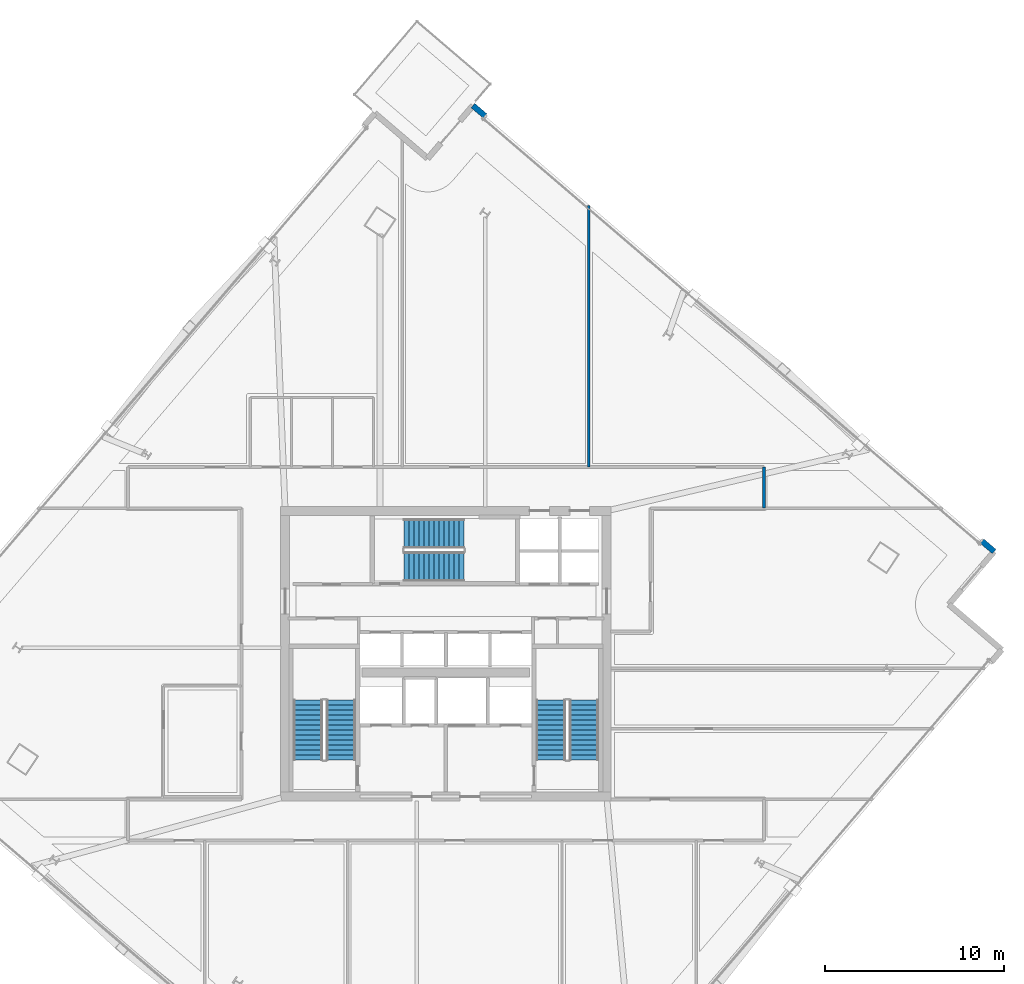
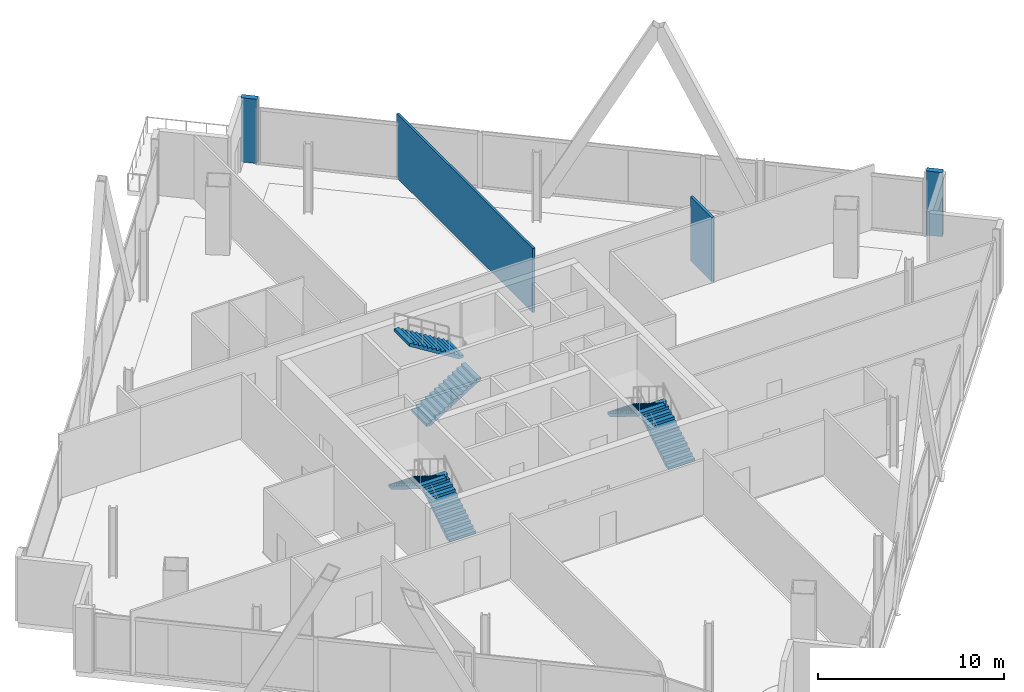
# One storey, part 21 of 26: 6 stair flights, 4 walls, 3 elements without a shape of their own.
"""IFC4 building model written with IfcOpenShell, lengths in metres."""

from ifc_helpers import new_model, si_unit, direction, frame, frame_2d, origin, place, context, subcontext, project, spatial, polyline, rectangle, outline, extrude, material, layer, layer_set, type_object, element, aggregate, save


model = new_model("IFC4")

# Units and contexts
model_context = context("Model", 3, precision=1e-05, world=origin(), true_north=direction((0.0, 1.0)))
body_context = subcontext(model_context, "Body", "Model", "MODEL_VIEW")
ifc_project = project(units=[si_unit("LENGTHUNIT", "METRE"), si_unit("AREAUNIT", "SQUARE_METRE"), si_unit("VOLUMEUNIT", "CUBIC_METRE"), si_unit("PLANEANGLEUNIT", "RADIAN"), si_unit("MASSUNIT", "GRAM", prefix="KILO")], contexts=[model_context])

# Site, building, storey
site_placement = place(None, origin())
site = spatial("IfcSite", under=ifc_project, at=site_placement, CompositionType="ELEMENT")
building_placement = place(site_placement, origin())
building = spatial("IfcBuilding", under=site, at=building_placement, Name="Haldenkirk Collegiate Tower", CompositionType="ELEMENT")
storey_placement = place(building_placement, frame((0.0, 0.0, 193.949951171875)))
storey = spatial("IfcBuildingStorey", under=building, at=storey_placement, Name="L48", CompositionType="ELEMENT", Elevation=193.949951171875)

# Walls
ifc_material_1 = material(Name="Precast concrete f'c 40 MPa", Category="concrete")
ifc_layer_1 = layer(ifc_material_1, 0.320068359375)
ifc_layer_set_1 = layer_set([ifc_layer_1], Name="Precast concrete f'c 40 MPa")
wall_type_1 = type_object("IfcWallType", Name="WL-EXT-TWR-320", PredefinedType="STANDARD", material=ifc_layer_set_1)
wall_1_placement = place(storey_placement, frame((37.5126953125, 56.686279296875, 0.0), z_axis=(0.0, 0.0, 1.0), x_axis=(0.759773334815, -0.650188034113, 0.0)))
element("IfcWall", 1, at=wall_1_placement, inside=storey, type_object=wall_type_1, Name="L48 precast corner pier EL", PredefinedType="STANDARD", context=body_context, shape_type="SweptSolid", body=[
    extrude(rectangle(XDim=0.900146484375, YDim=0.320068359375, at=frame_2d((0.4501953125, 0.0))), origin(), (0.0, 0.0, 1.0), 4.219970703125),
])
wall_2_placement = place(storey_placement, frame((66.006591796875, 32.306884765625, 0.0), z_axis=(0.0, 0.0, 1.0), x_axis=(0.759907338963, -0.650031411695, 0.0)))
element("IfcWall", 2, at=wall_2_placement, inside=storey, type_object=wall_type_1, Name="L48 precast corner pier ER", PredefinedType="STANDARD", context=body_context, shape_type="SweptSolid", body=[
    extrude(rectangle(XDim=0.89990234375, YDim=0.320068359375, at=frame_2d((0.449951171875, 0.0))), origin(), (0.0, 0.0, 1.0), 4.219970703125),
])
ifc_material_2 = material(Name="Acoustic fire-rated gypsum partition", Category="concrete")
ifc_layer_2 = layer(ifc_material_2, 0.159912109375)
ifc_layer_set_2 = layer_set([ifc_layer_2], Name="Acoustic fire-rated gypsum partition")
wall_type_2 = type_object("IfcWallType", Name="WL-INT-CORR-160", PredefinedType="PARTITIONING", material=ifc_layer_set_2)
wall_3_placement = place(storey_placement, frame((53.800048828125, 34.14990234375, 0.0), z_axis=(0.0, 0.0, 1.0), x_axis=(0.0, 1.0, 0.0)))
element("IfcWall", 3, at=wall_3_placement, inside=storey, type_object=wall_type_2, Name="L48 interior partition IW-L48-CNR", PredefinedType="PARTITIONING", context=body_context, shape_type="SweptSolid", body=[
    extrude(rectangle(XDim=2.300048828125, YDim=0.159912109375, at=frame_2d((1.14990234375, 0.0))), origin(), (0.0, 0.0, 1.0), 4.219970703125),
])
ifc_layer_3 = layer(ifc_material_2, 0.139892578125)
ifc_layer_set_3 = layer_set([ifc_layer_3], Name="Acoustic fire-rated gypsum partition")
wall_type_3 = type_object("IfcWallType", Name="WL-INT-DIV-140", PredefinedType="PARTITIONING", material=ifc_layer_set_3)
wall_4_placement = place(storey_placement, frame((44.0, 36.449951171875, 0.0), z_axis=(0.0, 0.0, 1.0), x_axis=(0.0, 1.0, 0.0)))
element("IfcWall", 4, at=wall_4_placement, inside=storey, type_object=wall_type_3, Name="L48 interior partition IW-L48-RN2", PredefinedType="PARTITIONING", context=body_context, shape_type="SweptSolid", body=[
    extrude(rectangle(XDim=14.633056640625, YDim=0.139892578125, at=frame_2d((7.31640625, 0.0))), origin(), (0.0, 0.0, 1.0), 4.219970703125),
])

# Stair, stair flights
ifc_material_3 = material(Name="Concrete f'c 40 MPa", Category="concrete")
stair_type = type_object("IfcStairType", Name="STR-DOGLEG-1650", PredefinedType="HALF_TURN_STAIR", material=ifc_material_3)
stair_1_placement = place(storey_placement, origin())
stair_1 = element("IfcStair", 5, at=stair_1_placement, inside=storey, type_object=stair_type, Name="L48 Core Exit Stair ST-1", PredefinedType="HALF_TURN_STAIR")
stair_flight_type = type_object("IfcStairFlightType", Name="STF-FLIGHT-1650", PredefinedType="STRAIGHT", material=ifc_material_3)
stair_flight_1_placement = place(storey_placement, frame((30.125, 20.050048828125, 0.0), z_axis=(0.0, 0.0, 1.0), x_axis=(0.0, 1.0, 0.0)))
stair_flight_1 = element("IfcStairFlight", 6, at=stair_flight_1_placement, type_object=stair_flight_type, Name="ST-1 flight 1", NumberOfRisers=13, NumberOfTreads=12, PredefinedType="STRAIGHT", RiserHeight=0.173076923, TreadLength=0.28, context=body_context, shape_type="SweptSolid", body=[
    extrude(outline(polyline([(0.0, 0.0), (0.0, 0.173095703125), (0.280029296875, 0.173095703125), (0.280029296875, 0.34619140625), (0.56005859375, 0.34619140625), (0.56005859375, 0.519287109375), (0.840087890625, 0.519287109375), (0.840087890625, 0.6923828125), (1.1201171875, 0.6923828125), (1.1201171875, 0.865478515625), (1.39990234375, 0.865478515625), (1.39990234375, 1.03857421875), (1.679931640625, 1.03857421875), (1.679931640625, 1.21142578125), (1.9599609375, 1.21142578125), (1.9599609375, 1.384521484375), (2.239990234375, 1.384521484375), (2.239990234375, 1.5576171875), (2.52001953125, 1.5576171875), (2.52001953125, 1.730712890625), (2.800048828125, 1.730712890625), (2.800048828125, 1.90380859375), (3.080078125, 1.90380859375), (3.080078125, 2.076904296875), (3.360107421875, 2.076904296875), (3.360107421875, 2.25), (3.360107421875, 1.900634765625), (0.28515625, 0.0), (0.0, 0.0)])), frame((0.0, 0.824951171875, 0.0), z_axis=(0.0, -1.0, 0.0), x_axis=(1.0, 0.0, 0.0)), (0.0, 0.0, 1.0), 1.64990234375),
])
stair_flight_2_placement = place(storey_placement, frame((28.27490234375, 23.409912109375, 2.25), z_axis=(0.0, 0.0, 1.0), x_axis=(0.0, -1.0, 0.0)))
stair_flight_2 = element("IfcStairFlight", 7, at=stair_flight_2_placement, type_object=stair_flight_type, Name="ST-1 flight 2", NumberOfRisers=13, NumberOfTreads=12, PredefinedType="STRAIGHT", RiserHeight=0.173076923, TreadLength=0.28, context=body_context, shape_type="SweptSolid", body=[
    extrude(outline(polyline([(0.0, 0.0), (0.0, 0.173095703125), (0.280029296875, 0.173095703125), (0.280029296875, 0.34619140625), (0.56005859375, 0.34619140625), (0.56005859375, 0.519287109375), (0.840087890625, 0.519287109375), (0.840087890625, 0.6923828125), (1.1201171875, 0.6923828125), (1.1201171875, 0.865478515625), (1.39990234375, 0.865478515625), (1.39990234375, 1.03857421875), (1.679931640625, 1.03857421875), (1.679931640625, 1.21142578125), (1.9599609375, 1.21142578125), (1.9599609375, 1.384521484375), (2.239990234375, 1.384521484375), (2.239990234375, 1.5576171875), (2.52001953125, 1.5576171875), (2.52001953125, 1.730712890625), (2.800048828125, 1.730712890625), (2.800048828125, 1.90380859375), (3.080078125, 1.90380859375), (3.080078125, 2.076904296875), (3.360107421875, 2.076904296875), (3.360107421875, 2.25), (3.360107421875, 1.900634765625), (0.28515625, 0.0), (0.0, 0.0)])), frame((0.0, 0.824951171875, 0.0), z_axis=(0.0, -1.0, 0.0), x_axis=(1.0, 0.0, 0.0)), (0.0, 0.0, 1.0), 1.64990234375),
])
aggregate(stair_1, [stair_flight_1, stair_flight_2])

stair_2_placement = place(storey_placement, origin())
stair_2 = element("IfcStair", 8, at=stair_2_placement, inside=storey, type_object=stair_type, Name="L48 Core Exit Stair ST-2", PredefinedType="HALF_TURN_STAIR")
stair_flight_3_placement = place(storey_placement, frame((43.72509765625, 20.050048828125, 0.0), z_axis=(0.0, 0.0, 1.0), x_axis=(0.0, 1.0, 0.0)))
stair_flight_3 = element("IfcStairFlight", 9, at=stair_flight_3_placement, type_object=stair_flight_type, Name="ST-2 flight 1", NumberOfRisers=13, NumberOfTreads=12, PredefinedType="STRAIGHT", RiserHeight=0.173076923, TreadLength=0.28, context=body_context, shape_type="SweptSolid", body=[
    extrude(outline(polyline([(0.0, 0.0), (0.0, 0.173095703125), (0.280029296875, 0.173095703125), (0.280029296875, 0.34619140625), (0.56005859375, 0.34619140625), (0.56005859375, 0.519287109375), (0.840087890625, 0.519287109375), (0.840087890625, 0.6923828125), (1.1201171875, 0.6923828125), (1.1201171875, 0.865478515625), (1.39990234375, 0.865478515625), (1.39990234375, 1.03857421875), (1.679931640625, 1.03857421875), (1.679931640625, 1.21142578125), (1.9599609375, 1.21142578125), (1.9599609375, 1.384521484375), (2.239990234375, 1.384521484375), (2.239990234375, 1.5576171875), (2.52001953125, 1.5576171875), (2.52001953125, 1.730712890625), (2.800048828125, 1.730712890625), (2.800048828125, 1.90380859375), (3.080078125, 1.90380859375), (3.080078125, 2.076904296875), (3.360107421875, 2.076904296875), (3.360107421875, 2.25), (3.360107421875, 1.900634765625), (0.28515625, 0.0), (0.0, 0.0)])), frame((0.0, 0.824951171875, 0.0), z_axis=(0.0, -1.0, 0.0), x_axis=(1.0, 0.0, 0.0)), (0.0, 0.0, 1.0), 1.64990234375),
])
stair_flight_4_placement = place(storey_placement, frame((41.875, 23.409912109375, 2.25), z_axis=(0.0, 0.0, 1.0), x_axis=(0.0, -1.0, 0.0)))
stair_flight_4 = element("IfcStairFlight", 10, at=stair_flight_4_placement, type_object=stair_flight_type, Name="ST-2 flight 2", NumberOfRisers=13, NumberOfTreads=12, PredefinedType="STRAIGHT", RiserHeight=0.173076923, TreadLength=0.28, context=body_context, shape_type="SweptSolid", body=[
    extrude(outline(polyline([(0.0, 0.0), (0.0, 0.173095703125), (0.280029296875, 0.173095703125), (0.280029296875, 0.34619140625), (0.56005859375, 0.34619140625), (0.56005859375, 0.519287109375), (0.840087890625, 0.519287109375), (0.840087890625, 0.6923828125), (1.1201171875, 0.6923828125), (1.1201171875, 0.865478515625), (1.39990234375, 0.865478515625), (1.39990234375, 1.03857421875), (1.679931640625, 1.03857421875), (1.679931640625, 1.21142578125), (1.9599609375, 1.21142578125), (1.9599609375, 1.384521484375), (2.239990234375, 1.384521484375), (2.239990234375, 1.5576171875), (2.52001953125, 1.5576171875), (2.52001953125, 1.730712890625), (2.800048828125, 1.730712890625), (2.800048828125, 1.90380859375), (3.080078125, 1.90380859375), (3.080078125, 2.076904296875), (3.360107421875, 2.076904296875), (3.360107421875, 2.25), (3.360107421875, 1.900634765625), (0.28515625, 0.0), (0.0, 0.0)])), frame((0.0, 0.824951171875, 0.0), z_axis=(0.0, -1.0, 0.0), x_axis=(1.0, 0.0, 0.0)), (0.0, 0.0, 1.0), 1.64990234375),
])
aggregate(stair_2, [stair_flight_3, stair_flight_4])

stair_3_placement = place(storey_placement, origin())
stair_3 = element("IfcStair", 11, at=stair_3_placement, inside=storey, type_object=stair_type, Name="L48 Core Exit Stair ST-3", PredefinedType="HALF_TURN_STAIR")
stair_flight_5_placement = place(storey_placement, frame((33.64990234375, 30.875, 0.0), z_axis=(0.0, 0.0, 1.0), x_axis=(1.0, 0.0, 0.0)))
stair_flight_5 = element("IfcStairFlight", 12, at=stair_flight_5_placement, type_object=stair_flight_type, Name="ST-3 flight 1", NumberOfRisers=13, NumberOfTreads=12, PredefinedType="STRAIGHT", RiserHeight=0.173076923, TreadLength=0.28, context=body_context, shape_type="SweptSolid", body=[
    extrude(outline(polyline([(0.0, 0.0), (0.0, 0.173095703125), (0.280029296875, 0.173095703125), (0.280029296875, 0.34619140625), (0.56005859375, 0.34619140625), (0.56005859375, 0.519287109375), (0.840087890625, 0.519287109375), (0.840087890625, 0.6923828125), (1.1201171875, 0.6923828125), (1.1201171875, 0.865478515625), (1.39990234375, 0.865478515625), (1.39990234375, 1.03857421875), (1.679931640625, 1.03857421875), (1.679931640625, 1.21142578125), (1.9599609375, 1.21142578125), (1.9599609375, 1.384521484375), (2.239990234375, 1.384521484375), (2.239990234375, 1.5576171875), (2.52001953125, 1.5576171875), (2.52001953125, 1.730712890625), (2.800048828125, 1.730712890625), (2.800048828125, 1.90380859375), (3.080078125, 1.90380859375), (3.080078125, 2.076904296875), (3.360107421875, 2.076904296875), (3.360107421875, 2.25), (3.360107421875, 1.900634765625), (0.28515625, 0.0), (0.0, 0.0)])), frame((0.0, 0.824951171875, 0.0), z_axis=(0.0, -1.0, 0.0), x_axis=(1.0, 0.0, 0.0)), (0.0, 0.0, 1.0), 1.64990234375),
])
stair_flight_6_placement = place(storey_placement, frame((37.010009765625, 32.72509765625, 2.25), z_axis=(0.0, 0.0, 1.0), x_axis=(-1.0, 0.0, 0.0)))
stair_flight_6 = element("IfcStairFlight", 13, at=stair_flight_6_placement, type_object=stair_flight_type, Name="ST-3 flight 2", NumberOfRisers=13, NumberOfTreads=12, PredefinedType="STRAIGHT", RiserHeight=0.173076923, TreadLength=0.28, context=body_context, shape_type="SweptSolid", body=[
    extrude(outline(polyline([(0.0, 0.0), (0.0, 0.173095703125), (0.280029296875, 0.173095703125), (0.280029296875, 0.34619140625), (0.56005859375, 0.34619140625), (0.56005859375, 0.519287109375), (0.840087890625, 0.519287109375), (0.840087890625, 0.6923828125), (1.1201171875, 0.6923828125), (1.1201171875, 0.865478515625), (1.39990234375, 0.865478515625), (1.39990234375, 1.03857421875), (1.679931640625, 1.03857421875), (1.679931640625, 1.21142578125), (1.9599609375, 1.21142578125), (1.9599609375, 1.384521484375), (2.239990234375, 1.384521484375), (2.239990234375, 1.5576171875), (2.52001953125, 1.5576171875), (2.52001953125, 1.730712890625), (2.800048828125, 1.730712890625), (2.800048828125, 1.90380859375), (3.080078125, 1.90380859375), (3.080078125, 2.076904296875), (3.360107421875, 2.076904296875), (3.360107421875, 2.25), (3.360107421875, 1.900634765625), (0.28515625, 0.0), (0.0, 0.0)])), frame((0.0, 0.824951171875, 0.0), z_axis=(0.0, -1.0, 0.0), x_axis=(1.0, 0.0, 0.0)), (0.0, 0.0, 1.0), 1.64990234375),
])
aggregate(stair_3, [stair_flight_5, stair_flight_6])

save(model, "model.ifc")
